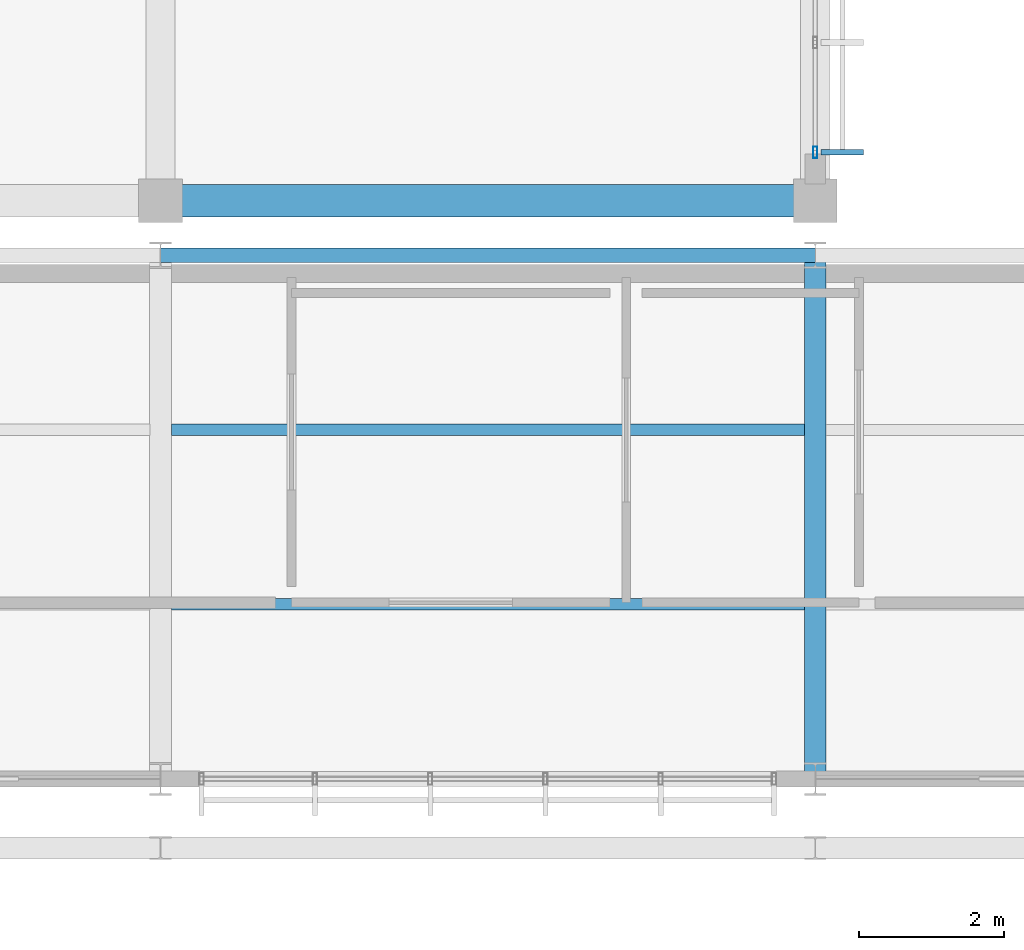
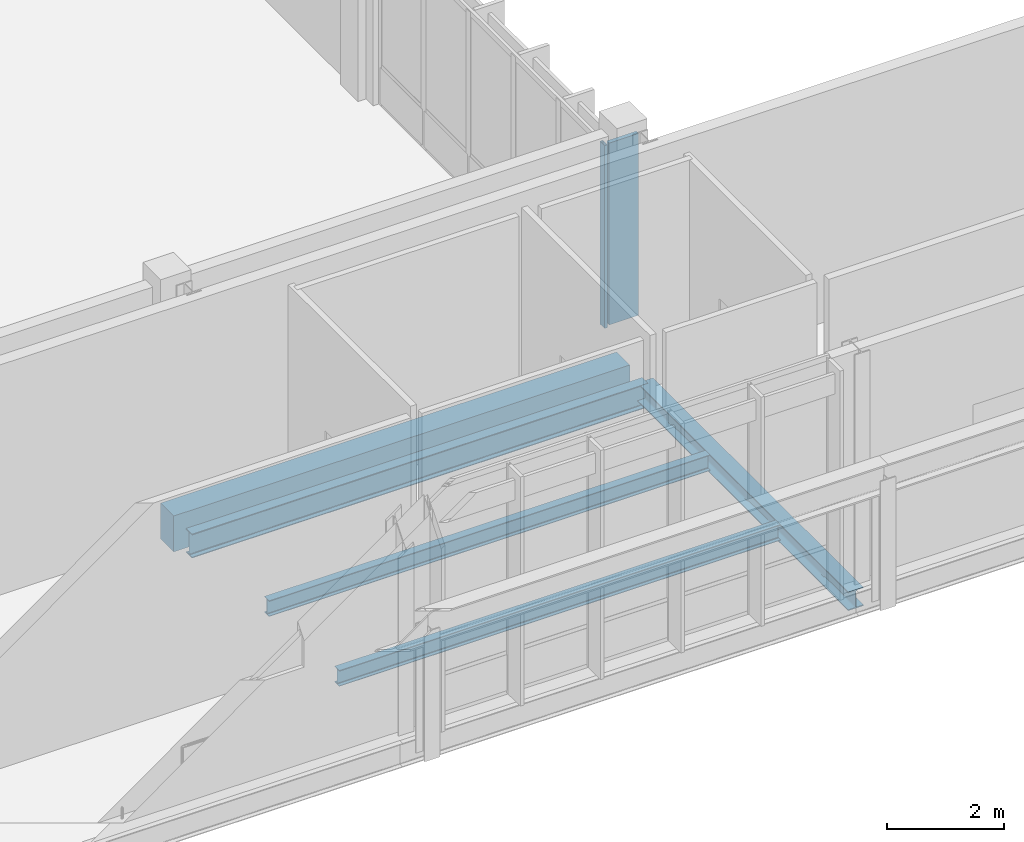
# One storey, part 108 of 177: 5 beams, 2 members, 1 element without a shape of its own.
"""IFC4 building model written with IfcOpenShell, lengths in metres."""

from ifc_helpers import new_model, si_unit, direction, frame, origin, origin_2d, place, context, subcontext, project, spatial, rectangle, hollow_rectangle, i_section, extrude, material, material_profile, profile_set, type_object, element, aggregate, save


model = new_model("IFC4")

# Units and contexts
model_context = context("Model", 3, precision=1e-05, world=origin(), true_north=direction((0.0, 1.0)))
body_context = subcontext(model_context, "Body", "Model", "MODEL_VIEW")
ifc_project = project(units=[si_unit("LENGTHUNIT", "METRE"), si_unit("AREAUNIT", "SQUARE_METRE"), si_unit("VOLUMEUNIT", "CUBIC_METRE"), si_unit("PLANEANGLEUNIT", "RADIAN"), si_unit("MASSUNIT", "GRAM", prefix="KILO")], contexts=[model_context])

# Site, building, storey
site_placement = place(None, origin())
site = spatial("IfcSite", under=ifc_project, at=site_placement, CompositionType="ELEMENT")
building_placement = place(site_placement, origin())
building = spatial("IfcBuilding", under=site, at=building_placement, Name="Chiffa Square Polytechnic", CompositionType="ELEMENT")
storey_placement = place(building_placement, frame((0.0, 0.0, 4.800048828125)))
storey = spatial("IfcBuildingStorey", under=building, at=storey_placement, Name="L01", CompositionType="ELEMENT", Elevation=4.800048828125)

# Beams
ifc_material_1 = material(Name="Concrete C35/45", Category="concrete")
ifc_material_profile_1 = material_profile(ifc_material_1, rectangle(XDim=0.449951171875, YDim=0.75, at=origin_2d()), Name="RC 450x750")
ifc_profile_set_1 = profile_set([ifc_material_profile_1], Name="Concrete C35/45")
beam_type_1 = type_object("IfcBeamType", Name="BM-RC-450X750", PredefinedType="BEAM", material=ifc_profile_set_1)
beam_1_placement = place(storey_placement, frame((139.199951171875, 94.949951171875, -0.655029296875), z_axis=(1.0, 0.0, 0.0), x_axis=(0.0, 1.0, 0.0)))
element("IfcBeam", 1, at=beam_1_placement, inside=storey, type_object=beam_type_1, Name="Primary floor girder BM-V5-L01-X-1392-0950", PredefinedType="BEAM", context=body_context, shape_type="SweptSolid", body=[
    extrude(rectangle(XDim=0.449951171875, YDim=0.75, at=origin_2d()), origin(), (0.0, 0.0, 1.0), 9.0),
])
ifc_material_2 = material(Name="Steel S355", Category="steel")
ifc_material_profile_2 = material_profile(ifc_material_2, i_section(OverallWidth=0.300048828125, OverallDepth=0.389892578125, WebThickness=0.010986328125, FlangeThickness=0.01904296875, FilletRadius=0.027099609375, at=origin_2d()), Name="HEA 400")
ifc_profile_set_2 = profile_set([ifc_material_profile_2], Name="Steel S355")
beam_type_2 = type_object("IfcBeamType", Name="BM-STL-HEA400", PredefinedType="BEAM", material=ifc_profile_set_2)
beam_2_placement = place(storey_placement, frame((148.199951171875, 87.0, -0.47509765625), z_axis=(0.0, 1.0, 0.0), x_axis=(-1.0, 0.0, 0.0)))
element("IfcBeam", 2, at=beam_2_placement, inside=storey, type_object=beam_type_2, Name="Primary floor girder BM-V2-L01-Y-1482-0870", PredefinedType="BEAM", context=body_context, shape_type="SweptSolid", body=[
    extrude(i_section(OverallWidth=0.300048828125, OverallDepth=0.389892578125, WebThickness=0.010986328125, FlangeThickness=0.01904296875, FilletRadius=0.027099609375, at=origin_2d()), origin(), (0.0, 0.0, 1.0), 7.199951171875),
])
ifc_material_profile_3 = material_profile(ifc_material_2, i_section(OverallWidth=0.199951171875, OverallDepth=0.5, WebThickness=0.01025390625, FlangeThickness=0.01611328125, FilletRadius=0.02099609375, at=origin_2d()), Name="IPE 500")
ifc_profile_set_3 = profile_set([ifc_material_profile_3], Name="Steel S355")
beam_type_3 = type_object("IfcBeamType", Name="BM-STL-IPE500", PredefinedType="BEAM", material=ifc_profile_set_3)
beam_3_placement = place(storey_placement, frame((139.199951171875, 94.199951171875, -0.530029296875), z_axis=(1.0, 0.0, 0.0), x_axis=(0.0, 1.0, 0.0)))
element("IfcBeam", 3, at=beam_3_placement, inside=storey, type_object=beam_type_3, Name="Primary floor girder BM-V2-L01-X-1392-0942", PredefinedType="BEAM", context=body_context, shape_type="SweptSolid", body=[
    extrude(i_section(OverallWidth=0.199951171875, OverallDepth=0.5, WebThickness=0.01025390625, FlangeThickness=0.01611328125, FilletRadius=0.02099609375, at=origin_2d()), origin(), (0.0, 0.0, 1.0), 9.0),
])

# Curtain wall, members
ifc_material_3 = material(Name="Aluminium EN AW-6060 T66 and glulam shading", Category="wood")
curtain_wall_type = type_object("IfcCurtainWallType", Name="CW-VERT-450X380", PredefinedType="USERDEFINED", material=ifc_material_3)
curtain_wall_placement = place(storey_placement, origin())
curtain_wall = element("IfcCurtainWall", 4, at=curtain_wall_placement, inside=storey, type_object=curtain_wall_type, Name="Curtain wall CW-V5-L01-202", ObjectType="CURTAIN WALL", PredefinedType="USERDEFINED")
ifc_material_4 = material(Name="Aluminium EN AW-6060 T66", Category="aluminium")
ifc_material_profile_4 = material_profile(ifc_material_4, hollow_rectangle(XDim=0.06005859375, YDim=0.159912109375, WallThickness=0.00390625, at=origin_2d()), Name="ALU 60x160x4")
ifc_profile_set_4 = profile_set([ifc_material_profile_4], Name="Aluminium EN AW-6060 T66")
member_type_1 = type_object("IfcMemberType", Name="CWM-ALU-65X150", PredefinedType="MULLION", material=ifc_profile_set_4)
member_1_placement = place(storey_placement, frame((148.199951171875, 95.614990234375, 0.0), z_axis=(0.0, 0.0, 1.0), x_axis=(1.0, 0.0, 0.0)))
member_1 = element("IfcMember", 5, at=member_1_placement, type_object=member_type_1, Name="Curtain wall mullion CW-V5-L01-202-M00", PredefinedType="MULLION", context=body_context, shape_type="SweptSolid", body=[
    extrude(hollow_rectangle(XDim=0.06005859375, YDim=0.159912109375, WallThickness=0.00390625, at=origin_2d()), origin(), (0.0, 0.0, 1.0), 3.81494140625),
])
ifc_material_5 = material(Name="Glulam GL28h", Category="wood")
ifc_material_profile_5 = material_profile(ifc_material_5, rectangle(XDim=0.080078125, YDim=0.580078125, at=origin_2d()), Name="GL28h 80x580")
ifc_profile_set_5 = profile_set([ifc_material_profile_5], Name="Glulam GL28h")
member_type_2 = type_object("IfcMemberType", Name="CWM-GL-80X580", PredefinedType="MULLION", material=ifc_profile_set_5)
member_2_placement = place(storey_placement, frame((148.572021484375, 95.614990234375, 0.010009765625), z_axis=(0.0, 0.0, 1.0), x_axis=(0.0, 1.0, 0.0)))
member_2 = element("IfcMember", 6, at=member_2_placement, type_object=member_type_2, Name="Exterior glulam solar fin CW-V5-L01-202-FN00", PredefinedType="MULLION", context=body_context, shape_type="SweptSolid", body=[
    extrude(rectangle(XDim=0.080078125, YDim=0.580078125, at=origin_2d()), origin(), (0.0, 0.0, 1.0), 3.794921875),
])
aggregate(curtain_wall, [member_1, member_2])

# Beams
ifc_material_profile_6 = material_profile(ifc_material_2, i_section(OverallWidth=0.159912109375, OverallDepth=0.330078125, WebThickness=0.007568359375, FlangeThickness=0.011474609375, FilletRadius=0.01806640625, at=origin_2d()), Name="IPE 330")
ifc_profile_set_6 = profile_set([ifc_material_profile_6], Name="Steel S355")
beam_type_4 = type_object("IfcBeamType", Name="JST-STL-IPE330", PredefinedType="JOIST", material=ifc_profile_set_6)
for number, where, z_axis, x_axis, name in (
    (7, (139.347900390625, 89.39990234375, -0.445068359375), (1.0, 0.0, 0.0), (0.0, 1.0, 0.0), "Secondary floor joist JST-V2-L01-1392-0894"),
    (8, (139.347900390625, 91.800048828125, -0.445068359375), (1.0, 0.0, 0.0), (0.0, 1.0, 0.0), "Secondary floor joist JST-V2-L01-1392-0918"),
):
    element("IfcBeam", number, at=place(storey_placement, frame(where, z_axis=z_axis, x_axis=x_axis)), inside=storey, type_object=beam_type_4, Name=name, PredefinedType="JOIST", context=body_context, shape_type="SweptSolid", body=[
        extrude(i_section(OverallWidth=0.159912109375, OverallDepth=0.330078125, WebThickness=0.007568359375, FlangeThickness=0.011474609375, FilletRadius=0.01806640625, at=origin_2d()), origin(), (0.0, 0.0, 1.0), 8.7041015625),
    ])

save(model, "model.ifc")
